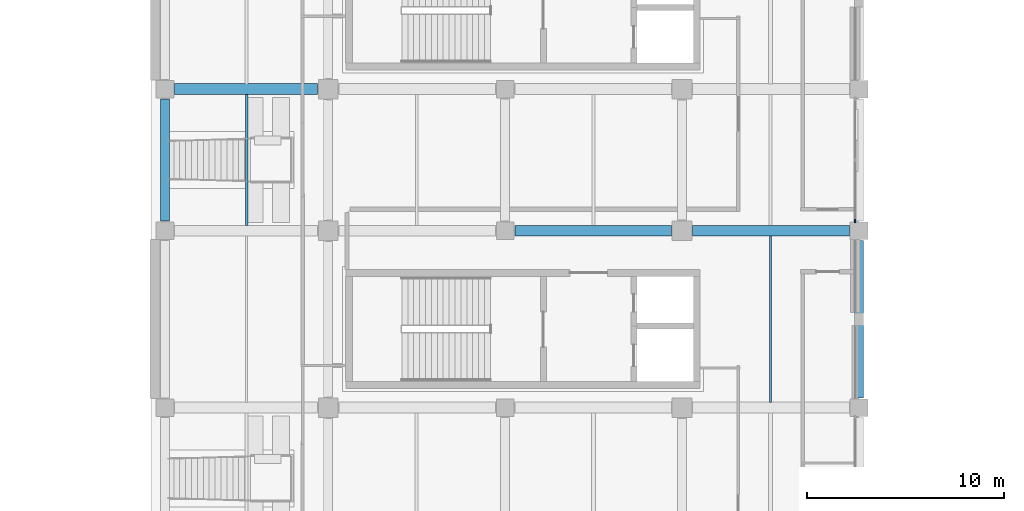
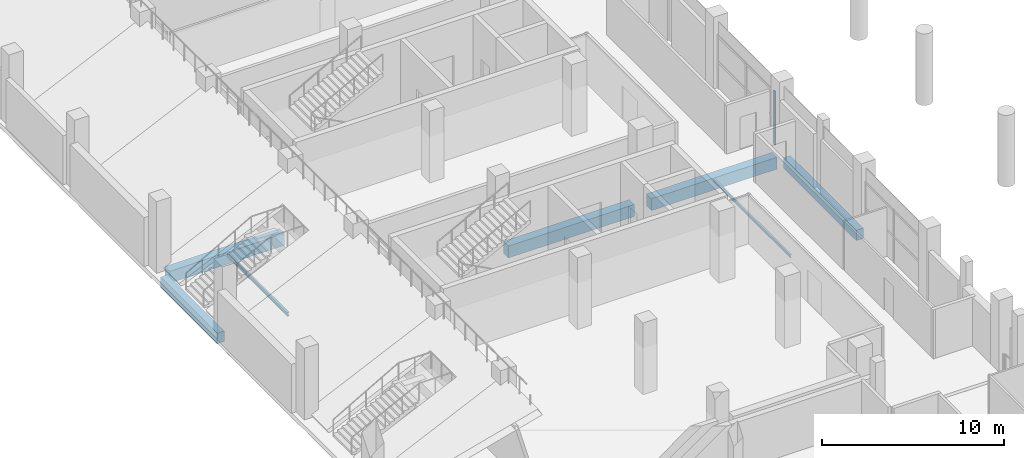
# One storey, part 23 of 100: 7 beams, 1 member, 1 element without a shape of its own.
"""IFC4 building model written with IfcOpenShell, lengths in metres."""

import ifcopenshell
import ifcopenshell.guid

model = None  # the IFC model being written
_history = None  # IfcOwnerHistory: only IFC2X3 demands one
_inside = {}  # id of a spatial element -> (the spatial element, [elements in it])
_under = {}  # id of a project, library or spatial element -> (it, [spatial elements below it])
_declared = {}  # id of a project -> (the project, [libraries it declares])
_typed = {}  # id of a type object -> (the type object, [elements of that type])
_made_of = {}  # id of a material, layer set ... -> (it, [elements and type objects made of it])


def new_model(schema):
    """Start an empty IFC model of exactly this schema.

    Asked for "IFC4X3", IfcOpenShell would pick the latest addendum, in which some entities
    have other attributes; the version numbers below select the first issue.
    IFC2X3 requires an IfcOwnerHistory on every rooted entity: one is made here for all.
    """
    global model, _history
    if schema == "IFC4X3":
        model = ifcopenshell.file(schema_version=(4, 3, 0, 0))
    else:
        model = ifcopenshell.file(schema=schema)
    _inside.clear()
    _under.clear()
    _declared.clear()
    _typed.clear()
    _made_of.clear()
    _history = None
    if model.schema == "IFC2X3":
        org = make("IfcOrganization", Name="unknown")
        user = make(
            "IfcPersonAndOrganization",
            ThePerson=make("IfcPerson", FamilyName="unknown"),
            TheOrganization=org,
        )
        app = make(
            "IfcApplication",
            ApplicationDeveloper=org,
            Version="unknown",
            ApplicationFullName="unknown",
            ApplicationIdentifier="unknown",
        )
        _history = make(
            "IfcOwnerHistory",
            OwningUser=user,
            OwningApplication=app,
            ChangeAction="ADDED",
            CreationDate=0,
        )
    return model


def make(cls, **values):
    """One entity of the class cls with the attributes given. An attribute that is None is left unset."""
    return model.create_entity(
        cls, **{name: value for name, value in values.items() if value is not None}
    )


def rooted(cls, **values):
    """An entity with a GlobalId (a new one), such as an element, a storey or a relation."""
    return make(cls, GlobalId=ifcopenshell.guid.new(), OwnerHistory=_history, **values)


def si_unit(unit_type, name, prefix=None):
    """IfcSIUnit, for example si_unit("LENGTHUNIT", "METRE", prefix="MILLI")."""
    return make("IfcSIUnit", UnitType=unit_type, Prefix=prefix, Name=name)


def assignment(units):
    """IfcUnitAssignment: the units of a project."""
    return None if units is None else make("IfcUnitAssignment", Units=units)


def point(xyz):
    """IfcCartesianPoint."""
    return None if xyz is None else make("IfcCartesianPoint", Coordinates=xyz)


def direction(xyz):
    """IfcDirection."""
    return None if xyz is None else make("IfcDirection", DirectionRatios=xyz)


def frame(location, z_axis=None, x_axis=None):
    """IfcAxis2Placement3D, a coordinate frame: its origin and axes. An axis left out is left unset."""
    return make(
        "IfcAxis2Placement3D",
        Location=point(location),
        Axis=direction(z_axis),
        RefDirection=direction(x_axis),
    )


def frame_2d(location, x_axis=None):
    """IfcAxis2Placement2D, a coordinate frame in the plane: its origin and x axis."""
    return make(
        "IfcAxis2Placement2D", Location=point(location), RefDirection=direction(x_axis)
    )


def origin():
    """The frame at (0, 0, 0) with its axes left unset."""
    return frame((0.0, 0.0, 0.0))


def origin_2d():
    """The frame at (0, 0) in the plane with its x axis left unset."""
    return frame_2d((0.0, 0.0))


def place(relative_to, where):
    """IfcLocalPlacement: puts the frame where relative to a parent placement (None: the world)."""
    return make(
        "IfcLocalPlacement", PlacementRelTo=relative_to, RelativePlacement=where
    )


def context(
    kind, dimensions, precision=None, world=None, true_north=None, identifier=None
):
    """IfcGeometricRepresentationContext, for example the 3D "Model" context."""
    return make(
        "IfcGeometricRepresentationContext",
        ContextIdentifier=identifier,
        ContextType=kind,
        CoordinateSpaceDimension=dimensions,
        Precision=precision,
        WorldCoordinateSystem=world,
        TrueNorth=true_north,
    )


def subcontext(parent, identifier, kind, view, scale=None):
    """IfcGeometricRepresentationSubContext, for example "Body" below "Model"."""
    return make(
        "IfcGeometricRepresentationSubContext",
        ContextIdentifier=identifier,
        ContextType=kind,
        ParentContext=parent,
        TargetScale=scale,
        TargetView=view,
    )


def project(units=None, contexts=None):
    """IfcProject with its units and contexts."""
    return rooted(
        "IfcProject",
        Name="project",
        RepresentationContexts=contexts,
        UnitsInContext=assignment(units),
    )


def spatial(cls, under=None, at=None, **own):
    """A site, building, storey or space (cls), placed at a placement, below another one or the project."""
    s = rooted(cls, ObjectPlacement=at, **own)
    if under is not None:
        _under.setdefault(under.id(), (under, []))[1].append(s)
    return s


def profile(cls, at=None, kind="AREA", **sizes):
    """A parametric profile (cls). Its sizes go by their IFC names, for example OverallWidth=200.0."""
    return make(cls, ProfileType=kind, Position=at, **sizes)


def rectangle(**sizes):
    """IfcRectangleProfileDef."""
    return profile("IfcRectangleProfileDef", **sizes)


def i_section(**sizes):
    """IfcIShapeProfileDef."""
    return profile("IfcIShapeProfileDef", **sizes)


def extrude(swept, where, along, depth):
    """IfcExtrudedAreaSolid: the profile swept, set in the frame where, extruded along a direction by depth."""
    return make(
        "IfcExtrudedAreaSolid",
        SweptArea=swept,
        Position=where,
        ExtrudedDirection=direction(along),
        Depth=depth,
    )


def shape(context_of_items, identifier, shape_type, items):
    """IfcShapeRepresentation: the items that make up one representation, for example the "Body"."""
    return make(
        "IfcShapeRepresentation",
        ContextOfItems=context_of_items,
        RepresentationIdentifier=identifier,
        RepresentationType=shape_type,
        Items=items,
    )


def material(Name=None, Category=None):
    """IfcMaterial."""
    return make("IfcMaterial", Name=Name, Category=Category)


def material_profile(
    of_material, cross_section, Name=None, Category=None, Priority=None
):
    """IfcMaterialProfile: a cross section and its material."""
    return make(
        "IfcMaterialProfile",
        Name=Name,
        Material=of_material,
        Profile=cross_section,
        Priority=Priority,
        Category=Category,
    )


def profile_set(profiles, Name=None, composite=None):
    """IfcMaterialProfileSet."""
    return make(
        "IfcMaterialProfileSet",
        Name=Name,
        MaterialProfiles=profiles,
        CompositeProfile=composite,
    )


def made_of(thing, what):
    """Note that an element or type object is made of a material, layer set ...; save() writes the relation."""
    if what is not None:
        _made_of.setdefault(what.id(), (what, []))[1].append(thing)
    return thing


def type_object(cls, material=None, **own):
    """A type object (cls), such as IfcWallType, which elements share."""
    return made_of(rooted(cls, **own), material)


def element(
    cls,
    number,
    at=None,
    inside=None,
    cuts=None,
    type_object=None,
    material=None,
    context=None,
    identifier="Body",
    shape_type=None,
    held_by="IfcProductDefinitionShape",
    body=None,
    shapes=None,
    **own,
):
    """One element of the class cls, such as IfcWall. Its Tag is "e" and its number.

    at: its placement. inside: the storey or other place that contains it. cuts: it is an
    opening in that element (IfcRelVoidsElement). A single representation is given by context,
    identifier, shape_type and body (its items); several are given by shapes. held_by: the class
    of the entity that holds the representations. save() writes the other relations.
    """
    e = rooted(cls, Tag="e%d" % number, ObjectPlacement=at, **own)
    if body is not None:
        shapes = [shape(context, identifier, shape_type, body)]
    if shapes is not None:
        e.Representation = make(held_by, Representations=shapes)
    if inside is not None:
        _inside.setdefault(inside.id(), (inside, []))[1].append(e)
    if cuts is not None:
        rooted(
            "IfcRelVoidsElement", RelatingBuildingElement=cuts, RelatedOpeningElement=e
        )
    if type_object is not None:
        _typed.setdefault(type_object.id(), (type_object, []))[1].append(e)
    return made_of(e, material)


def aggregate(whole, parts):
    """IfcRelAggregates: a whole, such as a stair, and the parts it consists of."""
    return rooted("IfcRelAggregates", RelatingObject=whole, RelatedObjects=parts)


def save(model, path):
    """Write the relations noted so far, then the file.

    IfcRelAggregates (storeys below a building ...), IfcRelContainedInSpatialStructure (elements
    in a storey), IfcRelDefinesByType, IfcRelAssociatesMaterial and IfcRelDeclares: one each for
    every whole, place, type object, material and project.
    """
    for whole, parts in _under.values():
        aggregate(whole, parts)
    for where, things in _inside.values():
        rooted(
            "IfcRelContainedInSpatialStructure",
            RelatedElements=things,
            RelatingStructure=where,
        )
    for kind, things in _typed.values():
        rooted("IfcRelDefinesByType", RelatedObjects=things, RelatingType=kind)
    for what, things in _made_of.values():
        rooted("IfcRelAssociatesMaterial", RelatedObjects=things, RelatingMaterial=what)
    for by, libraries in _declared.values():
        rooted("IfcRelDeclares", RelatingContext=by, RelatedDefinitions=libraries)
    model.write(path)


model = new_model("IFC4")

# Units and contexts
model_context = context("Model", 3, precision=1e-05, world=origin(), true_north=direction((0.0, 1.0)))
body_context = subcontext(model_context, "Body", "Model", "MODEL_VIEW")
ifc_project = project(units=[si_unit("LENGTHUNIT", "METRE"), si_unit("AREAUNIT", "SQUARE_METRE"), si_unit("VOLUMEUNIT", "CUBIC_METRE"), si_unit("PLANEANGLEUNIT", "RADIAN"), si_unit("MASSUNIT", "GRAM", prefix="KILO"), si_unit("THERMODYNAMICTEMPERATUREUNIT", "KELVIN"), si_unit("POWERUNIT", "WATT")], contexts=[model_context])

# Site, building, storey
site_placement = place(None, origin())
site = spatial("IfcSite", under=ifc_project, at=site_placement, CompositionType="ELEMENT")
building_placement = place(site_placement, origin())
building = spatial("IfcBuilding", under=site, at=building_placement, Name="Sindhuravela Promenade Stadium", CompositionType="ELEMENT")
storey_placement = place(building_placement, frame((0.0, 0.0, 4.800048828125)))
storey = spatial("IfcBuildingStorey", under=building, at=storey_placement, Name="L01", CompositionType="ELEMENT", Elevation=4.800048828125)

# Curtain wall, member
ifc_material_1 = material(Name="Anodised architectural aluminium 6063-T6", Category="aluminium")
curtain_wall_type = type_object("IfcCurtainWallType", Name="CW-MOD-3", PredefinedType="NOTDEFINED", material=ifc_material_1)
curtain_wall_placement = place(storey_placement, origin())
curtain_wall = element("IfcCurtainWall", 1, at=curtain_wall_placement, inside=storey, type_object=curtain_wall_type, Name="Bronze curtain wall CW-EAST-L01-090", PredefinedType="NOTDEFINED")
ifc_material_profile_1 = material_profile(ifc_material_1, rectangle(XDim=0.074951171875, YDim=0.175048828125, at=origin_2d()), Name="ALU MULL 75x175")
ifc_profile_set_1 = profile_set([ifc_material_profile_1], Name="Anodised architectural aluminium 6063-T6")
member_type = type_object("IfcMemberType", Name="CW-MUL-1", PredefinedType="MULLION", material=ifc_profile_set_1)
member_placement = place(storey_placement, frame((206.800048828125, 61.699951171875, 0.0), z_axis=(0.0, 0.0, 1.0), x_axis=(1.0, 0.0, 0.0)))
member = element("IfcMember", 2, at=member_placement, type_object=member_type, Name="Curtain wall mullion CW-EAST-L01-090-M3", PredefinedType="MULLION", context=body_context, shape_type="SweptSolid", body=[
    extrude(rectangle(XDim=0.074951171875, YDim=0.175048828125, at=origin_2d()), origin(), (0.0, 0.0, 1.0), 3.579833984375),
])
aggregate(curtain_wall, [member])

# Beams
ifc_material_2 = material(Name="Concrete M40", Category="concrete")
ifc_material_profile_2 = material_profile(ifc_material_2, rectangle(XDim=0.449951171875, YDim=0.699951171875, at=origin_2d()), Name="RC 450x700")
ifc_profile_set_2 = profile_set([ifc_material_profile_2], Name="Concrete M40")
beam_type_1 = type_object("IfcBeamType", Name="RC-BM-450x700", PredefinedType="BEAM", material=ifc_profile_set_2)
beam_1_placement = place(storey_placement, frame((171.699951171875, 61.68994140625, -0.650146484375), z_axis=(0.0, 1.0, 0.0), x_axis=(-1.0, 0.0, 0.0)))
element("IfcBeam", 3, at=beam_1_placement, inside=storey, type_object=beam_type_1, Name="Primary beam GB07 EAST L01", PredefinedType="BEAM", context=body_context, shape_type="SweptSolid", body=[
    extrude(rectangle(XDim=0.449951171875, YDim=0.699951171875, at=origin_2d()), origin(), (0.0, 0.0, 1.0), 6.219970703125),
])
beam_2_placement = place(storey_placement, frame((207.0, 52.68994140625, -0.650146484375), z_axis=(0.0, 1.0, 0.0), x_axis=(-1.0, 0.0, 0.0)))
element("IfcBeam", 4, at=beam_2_placement, inside=storey, type_object=beam_type_1, Name="Primary beam GB07 EAST L01", PredefinedType="BEAM", context=body_context, shape_type="SweptSolid", body=[
    extrude(rectangle(XDim=0.449951171875, YDim=0.699951171875, at=origin_2d()), origin(), (0.0, 0.0, 1.0), 8.02001953125),
])
ifc_material_profile_3 = material_profile(ifc_material_2, rectangle(XDim=0.550048828125, YDim=0.800048828125, at=origin_2d()), Name="RC 550x800")
ifc_profile_set_3 = profile_set([ifc_material_profile_3], Name="Concrete M40")
beam_type_2 = type_object("IfcBeamType", Name="RC-BM-550x800", PredefinedType="BEAM", material=ifc_profile_set_3)
for number, where, z_axis, x_axis, name in (
    (5, (189.489990234375, 61.199951171875, -0.699951171875), (1.0, 0.0, 0.0), (0.0, 1.0, 0.0), "Primary girder GB05 EAST L01"),
    (6, (198.5400390625, 61.199951171875, -0.699951171875), (1.0, 0.0, 0.0), (0.0, 1.0, 0.0), "Primary girder GB05 EAST L01"),
):
    element("IfcBeam", number, at=place(storey_placement, frame(where, z_axis=z_axis, x_axis=x_axis)), inside=storey, type_object=beam_type_2, Name=name, PredefinedType="BEAM", context=body_context, shape_type="SweptSolid", body=[
        extrude(rectangle(XDim=0.550048828125, YDim=0.800048828125, at=origin_2d()), origin(), (0.0, 0.0, 1.0), 7.969970703125),
    ])
beam_3_placement = place(storey_placement, frame((172.18994140625, 68.39990234375, -0.699951171875), z_axis=(1.0, 0.0, 0.0), x_axis=(0.0, 1.0, 0.0)))
element("IfcBeam", 7, at=beam_3_placement, inside=storey, type_object=beam_type_2, Name="Primary girder GB05 EAST L01", PredefinedType="BEAM", context=body_context, shape_type="SweptSolid", body=[
    extrude(rectangle(XDim=0.550048828125, YDim=0.800048828125, at=origin_2d()), origin(), (0.0, 0.0, 1.0), 7.27001953125),
])
ifc_material_3 = material(Name="Steel E350 (IS 2062 E350BR)", Category="steel")
ifc_material_profile_4 = material_profile(ifc_material_3, i_section(OverallWidth=0.10009765625, OverallDepth=0.199951171875, WebThickness=0.005615234375, FlangeThickness=0.0107421875, FilletRadius=0.010986328125, at=origin_2d()), Name="ISMB 200")
ifc_profile_set_4 = profile_set([ifc_material_profile_4], Name="Steel E350 (IS 2062 E350BR)")
beam_type_3 = type_object("IfcBeamType", Name="ST-BM-MB200", PredefinedType="JOIST", material=ifc_profile_set_4)
beam_4_placement = place(storey_placement, frame((202.5, 52.465087890625, -0.400146484375), z_axis=(0.0, 1.0, 0.0), x_axis=(-1.0, 0.0, 0.0)))
element("IfcBeam", 8, at=beam_4_placement, inside=storey, type_object=beam_type_3, Name="Secondary floor joist SB01 EAST L01", PredefinedType="JOIST", context=body_context, shape_type="SweptSolid", body=[
    extrude(i_section(OverallWidth=0.10009765625, OverallDepth=0.199951171875, WebThickness=0.005615234375, FlangeThickness=0.0107421875, FilletRadius=0.010986328125, at=origin_2d()), origin(), (0.0, 0.0, 1.0), 8.469970703125),
])
ifc_material_profile_5 = material_profile(ifc_material_3, i_section(OverallWidth=0.125, OverallDepth=0.25, WebThickness=0.0068359375, FlangeThickness=0.012451171875, FilletRadius=0.012939453125, at=origin_2d()), Name="ISMB 250")
ifc_profile_set_5 = profile_set([ifc_material_profile_5], Name="Steel E350 (IS 2062 E350BR)")
beam_type_4 = type_object("IfcBeamType", Name="ST-BM-MB250", PredefinedType="JOIST", material=ifc_profile_set_5)
beam_5_placement = place(storey_placement, frame((175.85009765625, 61.465087890625, -0.425048828125), z_axis=(0.0, 1.0, 0.0), x_axis=(-1.0, 0.0, 0.0)))
element("IfcBeam", 9, at=beam_5_placement, inside=storey, type_object=beam_type_4, Name="Secondary floor joist SB02 EAST L01", PredefinedType="JOIST", context=body_context, shape_type="SweptSolid", body=[
    extrude(i_section(OverallWidth=0.125, OverallDepth=0.25, WebThickness=0.0068359375, FlangeThickness=0.012451171875, FilletRadius=0.012939453125, at=origin_2d()), origin(), (0.0, 0.0, 1.0), 6.669921875),
])

save(model, "model.ifc")
